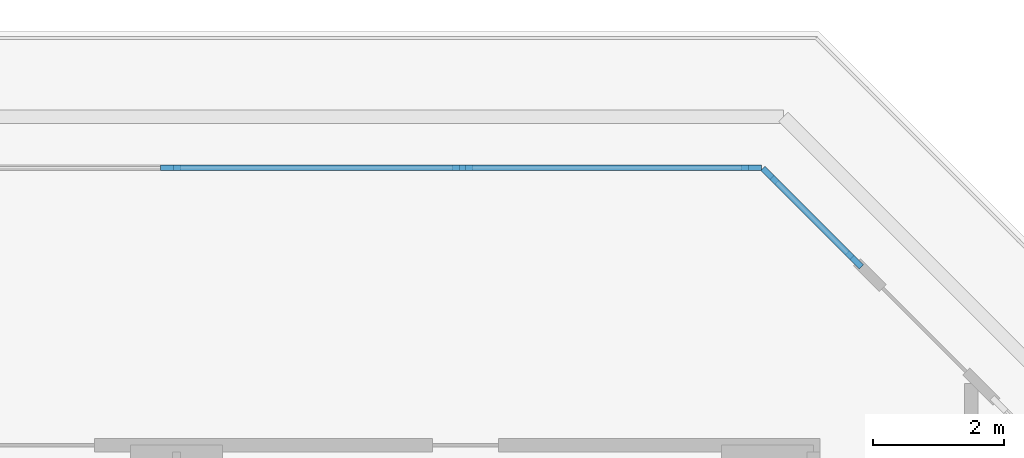
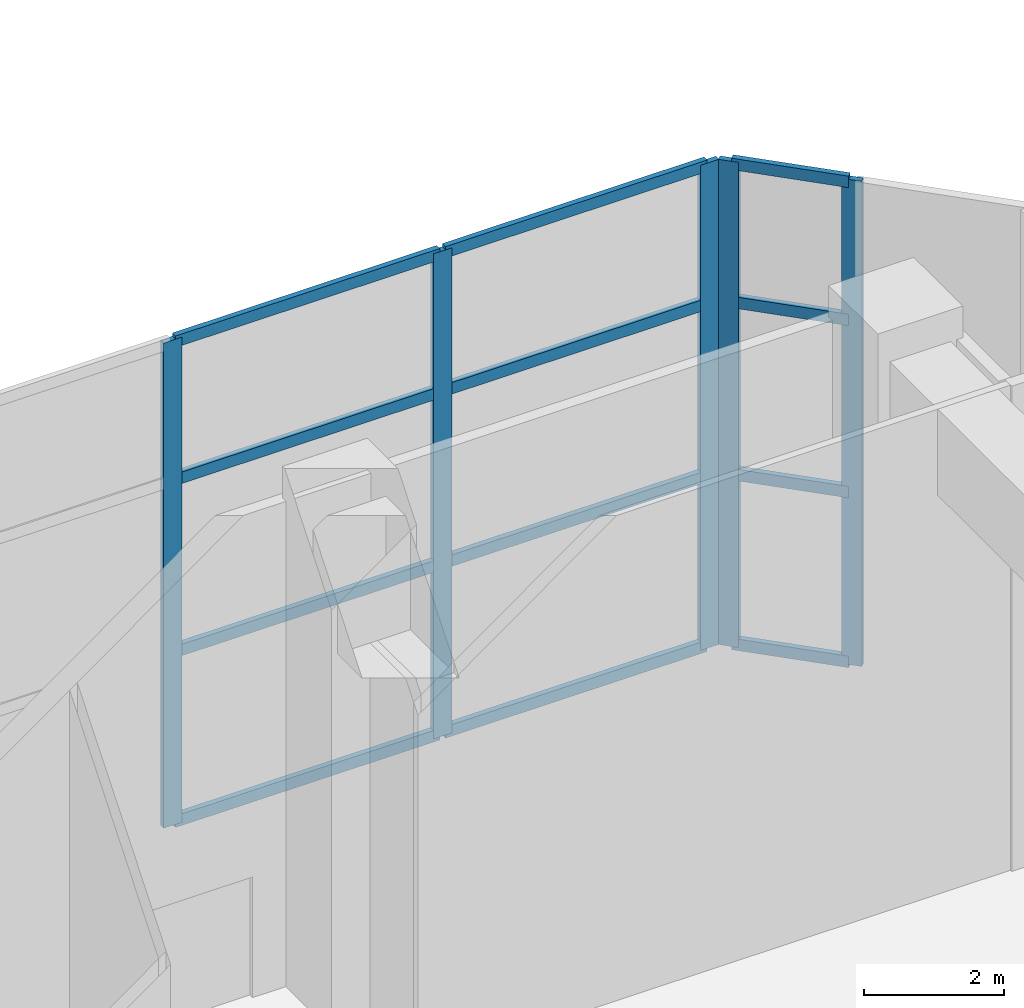
# One storey, part 7 of 28: 17 members, 2 elements without a shape of their own.
"""IFC4 building model written with IfcOpenShell, lengths in metres."""

from ifc_helpers import new_model, si_unit, direction, frame, origin, origin_2d, place, context, subcontext, project, spatial, rectangle, extrude, material, layer, layer_set, material_profile, profile_set, type_object, element, aggregate, save


model = new_model("IFC4")

# Units and contexts
model_context = context("Model", 3, precision=1e-05, world=origin(), true_north=direction((0.0, 1.0)))
body_context = subcontext(model_context, "Body", "Model", "MODEL_VIEW")
ifc_project = project(units=[si_unit("LENGTHUNIT", "METRE"), si_unit("AREAUNIT", "SQUARE_METRE"), si_unit("VOLUMEUNIT", "CUBIC_METRE"), si_unit("PLANEANGLEUNIT", "RADIAN"), si_unit("MASSUNIT", "GRAM", prefix="KILO")], contexts=[model_context])

# Site, building, storey
site_placement = place(None, origin())
site = spatial("IfcSite", under=ifc_project, at=site_placement, CompositionType="ELEMENT")
building_placement = place(site_placement, origin())
building = spatial("IfcBuilding", under=site, at=building_placement, Name="Chenar Terraces", CompositionType="ELEMENT")
storey_placement = place(building_placement, frame((0.0, 0.0, 26.39990234375)))
storey = spatial("IfcBuildingStorey", under=building, at=storey_placement, Name="L05", CompositionType="ELEMENT", Elevation=26.39990234375)

# Curtain wall, members
ifc_material_1 = material(Name="Aluminium framed glazing", Category="aluminium")
ifc_layer = layer(ifc_material_1, 0.14990234375)
ifc_layer_set = layer_set([ifc_layer], Name="Aluminium framed glazing")
curtain_wall_type = type_object("IfcCurtainWallType", Name="Hall curtain wall", PredefinedType="NOTDEFINED", material=ifc_layer_set)
placement = place(storey_placement, origin())
curtain_wall_1 = element("IfcCurtainWall", 1, at=placement, inside=storey, type_object=curtain_wall_type, Name="Hall curtain wall", PredefinedType="NOTDEFINED")
ifc_material_2 = material(Name="Aluminium", Category="aluminium")
ifc_material_profile_1 = material_profile(ifc_material_2, rectangle(XDim=0.090087890625, YDim=0.300048828125, at=origin_2d()), Name="Hall glazing mullion 90 x 300")
ifc_profile_set_1 = profile_set([ifc_material_profile_1], Name="Aluminium")
member_type_1 = type_object("IfcMemberType", Name="Hall glazing mullion 90 x 300", PredefinedType="MULLION", material=ifc_profile_set_1)
member_1_placement = place(storey_placement, frame((73.320556640625, 27.523193359375, 0.0), z_axis=(0.0, 0.0, 1.0), x_axis=(-0.707106781187, -0.707106781187, 0.0)))
member_1 = element("IfcMember", 2, at=member_1_placement, type_object=member_type_1, Name="CW5-01c1 mullion 1", PredefinedType="MULLION", context=body_context, shape_type="SweptSolid", body=[
    extrude(rectangle(XDim=0.090087890625, YDim=0.300048828125, at=origin_2d()), origin(), (0.0, 0.0, 1.0), 8.4501953125),
])
member_2_placement = place(storey_placement, frame((72.03466796875, 28.80908203125, 0.0), z_axis=(0.0, 0.0, 1.0), x_axis=(-0.707106781187, -0.707106781187, 0.0)))
member_2 = element("IfcMember", 3, at=member_2_placement, type_object=member_type_1, Name="CW5-01c1 mullion 2", PredefinedType="MULLION", context=body_context, shape_type="SweptSolid", body=[
    extrude(rectangle(XDim=0.090087890625, YDim=0.300048828125, at=origin_2d()), origin(), (0.0, 0.0, 1.0), 8.4501953125),
])

curtain_wall_2 = element("IfcCurtainWall", 4, at=placement, inside=storey, type_object=curtain_wall_type, Name="Hall curtain wall", PredefinedType="NOTDEFINED")
member_3_placement = place(storey_placement, frame((71.754638671875, 28.925048828125, 0.0), z_axis=(0.0, 0.0, 1.0), x_axis=(0.0, -1.0, 0.0)))
member_3 = element("IfcMember", 5, at=member_3_placement, type_object=member_type_1, Name="CW5-02c0 mullion 1", PredefinedType="MULLION", context=body_context, shape_type="SweptSolid", body=[
    extrude(rectangle(XDim=0.090087890625, YDim=0.300048828125, at=origin_2d()), origin(), (0.0, 0.0, 1.0), 8.4501953125),
])
member_4_placement = place(storey_placement, frame((67.353759765625, 28.925048828125, 0.0), z_axis=(0.0, 0.0, 1.0), x_axis=(0.0, -1.0, 0.0)))
member_4 = element("IfcMember", 6, at=member_4_placement, type_object=member_type_1, Name="CW5-02c0 mullion 2", PredefinedType="MULLION", context=body_context, shape_type="SweptSolid", body=[
    extrude(rectangle(XDim=0.090087890625, YDim=0.300048828125, at=origin_2d()), origin(), (0.0, 0.0, 1.0), 8.4501953125),
])
member_5_placement = place(storey_placement, frame((62.907958984375, 28.925048828125, 0.0), z_axis=(0.0, 0.0, 1.0), x_axis=(0.0, -1.0, 0.0)))
member_5 = element("IfcMember", 7, at=member_5_placement, type_object=member_type_1, Name="CW5-02c0 mullion 3", PredefinedType="MULLION", context=body_context, shape_type="SweptSolid", body=[
    extrude(rectangle(XDim=0.090087890625, YDim=0.300048828125, at=origin_2d()), origin(), (0.0, 0.0, 1.0), 8.4501953125),
])

# Member
ifc_material_3 = material(Name="Aluminium", Category="aluminium")
ifc_material_profile_2 = material_profile(ifc_material_3, rectangle(XDim=0.090087890625, YDim=0.199951171875, at=origin_2d()), Name="Hall glazing transom 90 x 200")
ifc_profile_set_2 = profile_set([ifc_material_profile_2], Name="Aluminium")
member_type_2 = type_object("IfcMemberType", Name="Hall glazing transom 90 x 200", PredefinedType="USERDEFINED", material=ifc_profile_set_2)
member_6_placement = place(storey_placement, frame((73.28857421875, 27.554931640625, 0.045166015625), z_axis=(-0.707036158787, 0.707177396533, 0.0), x_axis=(-0.707177396533, -0.707036158787, 0.0)))
member_6 = element("IfcMember", 8, at=member_6_placement, type_object=member_type_2, Name="CW5-01c1 transom 1.1", ObjectType="TRANSOM", PredefinedType="USERDEFINED", context=body_context, shape_type="SweptSolid", body=[
    extrude(rectangle(XDim=0.090087890625, YDim=0.199951171875, at=origin_2d()), origin(), (0.0, 0.0, 1.0), 1.728515625),
])

member_7_placement = place(storey_placement, frame((73.28857421875, 27.554931640625, 3.0), z_axis=(-0.707036158787, 0.707177396533, 0.0), x_axis=(-0.707177396533, -0.707036158787, 0.0)))
member_7 = element("IfcMember", 9, at=member_7_placement, type_object=member_type_2, Name="CW5-01c1 transom 1.2", ObjectType="TRANSOM", PredefinedType="USERDEFINED", context=body_context, shape_type="SweptSolid", body=[
    extrude(rectangle(XDim=0.090087890625, YDim=0.199951171875, at=origin_2d()), origin(), (0.0, 0.0, 1.0), 1.728515625),
])

member_8_placement = place(storey_placement, frame((73.28857421875, 27.554931640625, 6.0), z_axis=(-0.707036158787, 0.707177396533, 0.0), x_axis=(-0.707177396533, -0.707036158787, 0.0)))
member_8 = element("IfcMember", 10, at=member_8_placement, type_object=member_type_2, Name="CW5-01c1 transom 1.3", ObjectType="TRANSOM", PredefinedType="USERDEFINED", context=body_context, shape_type="SweptSolid", body=[
    extrude(rectangle(XDim=0.090087890625, YDim=0.199951171875, at=origin_2d()), origin(), (0.0, 0.0, 1.0), 1.728515625),
])

member_9_placement = place(storey_placement, frame((73.28857421875, 27.554931640625, 8.405029296875), z_axis=(-0.707036158787, 0.707177396533, 0.0), x_axis=(-0.707177396533, -0.707036158787, 0.0)))
member_9 = element("IfcMember", 11, at=member_9_placement, type_object=member_type_2, Name="CW5-01c1 transom 1.4", ObjectType="TRANSOM", PredefinedType="USERDEFINED", context=body_context, shape_type="SweptSolid", body=[
    extrude(rectangle(XDim=0.090087890625, YDim=0.199951171875, at=origin_2d()), origin(), (0.0, 0.0, 1.0), 1.728515625),
])

aggregate(curtain_wall_1, [member_1, member_2, member_6, member_7, member_8, member_9])

member_10_placement = place(storey_placement, frame((71.709716796875, 28.925048828125, 0.045166015625), z_axis=(-1.0, 0.0, 0.0), x_axis=(0.0, -1.0, 0.0)))
member_10 = element("IfcMember", 12, at=member_10_placement, type_object=member_type_2, Name="CW5-02c0 transom 1.1", ObjectType="TRANSOM", PredefinedType="USERDEFINED", context=body_context, shape_type="SweptSolid", body=[
    extrude(rectangle(XDim=0.090087890625, YDim=0.199951171875, at=origin_2d()), origin(), (0.0, 0.0, 1.0), 4.310791015625),
])

member_11_placement = place(storey_placement, frame((71.709716796875, 28.925048828125, 3.0), z_axis=(-1.0, 0.0, 0.0), x_axis=(0.0, -1.0, 0.0)))
member_11 = element("IfcMember", 13, at=member_11_placement, type_object=member_type_2, Name="CW5-02c0 transom 1.2", ObjectType="TRANSOM", PredefinedType="USERDEFINED", context=body_context, shape_type="SweptSolid", body=[
    extrude(rectangle(XDim=0.090087890625, YDim=0.199951171875, at=origin_2d()), origin(), (0.0, 0.0, 1.0), 4.310791015625),
])

member_12_placement = place(storey_placement, frame((71.709716796875, 28.925048828125, 6.0), z_axis=(-1.0, 0.0, 0.0), x_axis=(0.0, -1.0, 0.0)))
member_12 = element("IfcMember", 14, at=member_12_placement, type_object=member_type_2, Name="CW5-02c0 transom 1.3", ObjectType="TRANSOM", PredefinedType="USERDEFINED", context=body_context, shape_type="SweptSolid", body=[
    extrude(rectangle(XDim=0.090087890625, YDim=0.199951171875, at=origin_2d()), origin(), (0.0, 0.0, 1.0), 4.310791015625),
])

member_13_placement = place(storey_placement, frame((71.709716796875, 28.925048828125, 8.405029296875), z_axis=(-1.0, 0.0, 0.0), x_axis=(0.0, -1.0, 0.0)))
member_13 = element("IfcMember", 15, at=member_13_placement, type_object=member_type_2, Name="CW5-02c0 transom 1.4", ObjectType="TRANSOM", PredefinedType="USERDEFINED", context=body_context, shape_type="SweptSolid", body=[
    extrude(rectangle(XDim=0.090087890625, YDim=0.199951171875, at=origin_2d()), origin(), (0.0, 0.0, 1.0), 4.310791015625),
])

member_14_placement = place(storey_placement, frame((67.308837890625, 28.925048828125, 0.045166015625), z_axis=(-1.0, 0.0, 0.0), x_axis=(0.0, -1.0, 0.0)))
member_14 = element("IfcMember", 16, at=member_14_placement, type_object=member_type_2, Name="CW5-02c0 transom 2.1", ObjectType="TRANSOM", PredefinedType="USERDEFINED", context=body_context, shape_type="SweptSolid", body=[
    extrude(rectangle(XDim=0.090087890625, YDim=0.199951171875, at=origin_2d()), origin(), (0.0, 0.0, 1.0), 4.355712890625),
])

member_15_placement = place(storey_placement, frame((67.308837890625, 28.925048828125, 3.0), z_axis=(-1.0, 0.0, 0.0), x_axis=(0.0, -1.0, 0.0)))
member_15 = element("IfcMember", 17, at=member_15_placement, type_object=member_type_2, Name="CW5-02c0 transom 2.2", ObjectType="TRANSOM", PredefinedType="USERDEFINED", context=body_context, shape_type="SweptSolid", body=[
    extrude(rectangle(XDim=0.090087890625, YDim=0.199951171875, at=origin_2d()), origin(), (0.0, 0.0, 1.0), 4.355712890625),
])

member_16_placement = place(storey_placement, frame((67.308837890625, 28.925048828125, 6.0), z_axis=(-1.0, 0.0, 0.0), x_axis=(0.0, -1.0, 0.0)))
member_16 = element("IfcMember", 18, at=member_16_placement, type_object=member_type_2, Name="CW5-02c0 transom 2.3", ObjectType="TRANSOM", PredefinedType="USERDEFINED", context=body_context, shape_type="SweptSolid", body=[
    extrude(rectangle(XDim=0.090087890625, YDim=0.199951171875, at=origin_2d()), origin(), (0.0, 0.0, 1.0), 4.355712890625),
])

member_17_placement = place(storey_placement, frame((67.308837890625, 28.925048828125, 8.405029296875), z_axis=(-1.0, 0.0, 0.0), x_axis=(0.0, -1.0, 0.0)))
member_17 = element("IfcMember", 19, at=member_17_placement, type_object=member_type_2, Name="CW5-02c0 transom 2.4", ObjectType="TRANSOM", PredefinedType="USERDEFINED", context=body_context, shape_type="SweptSolid", body=[
    extrude(rectangle(XDim=0.090087890625, YDim=0.199951171875, at=origin_2d()), origin(), (0.0, 0.0, 1.0), 4.355712890625),
])

aggregate(curtain_wall_2, [member_3, member_4, member_5, member_10, member_11, member_12, member_13, member_14, member_15, member_16, member_17])

save(model, "model.ifc")
